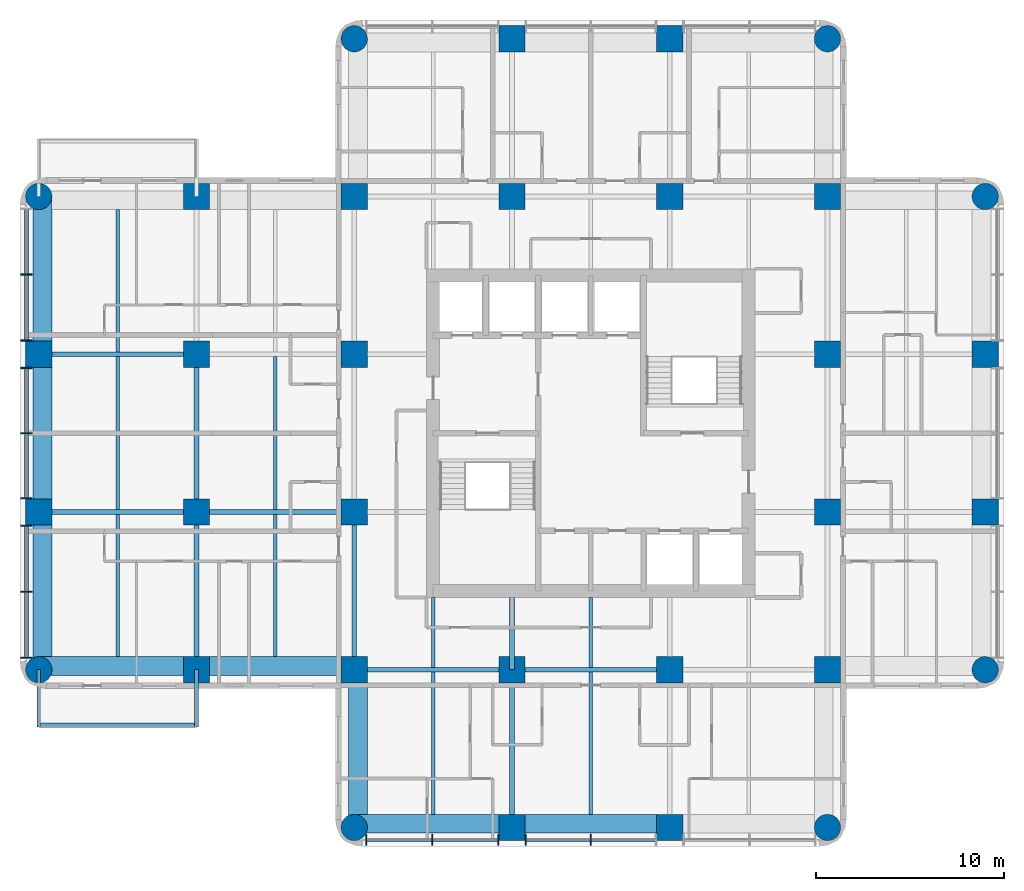
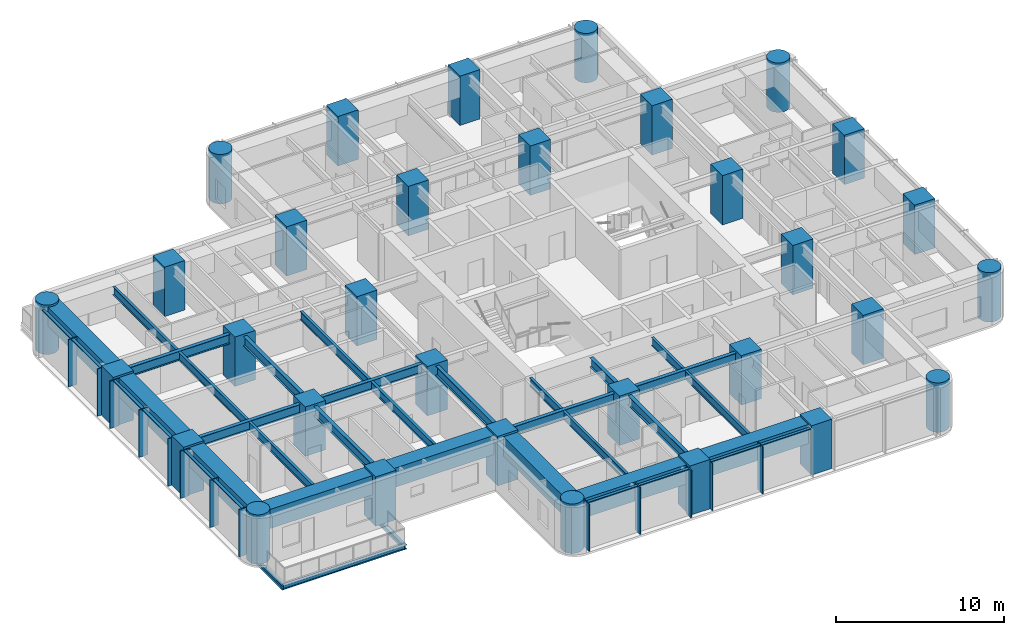
# One storey, part 1 of 11: 32 columns, 30 beams, 23 members, 2 elements without a shape of their own.
"""IFC4 building model written with IfcOpenShell, lengths in metres."""

from ifc_helpers import new_model, si_unit, direction, frame, origin, origin_2d, place, context, subcontext, project, spatial, rectangle, circle, i_section, extrude, material, material_profile, profile_set, type_object, element, aggregate, save


model = new_model("IFC4")

# Units and contexts
model_context = context("Model", 3, precision=1e-05, world=origin(), true_north=direction((0.0, 1.0)))
body_context = subcontext(model_context, "Body", "Model", "MODEL_VIEW")
ifc_project = project(units=[si_unit("LENGTHUNIT", "METRE"), si_unit("AREAUNIT", "SQUARE_METRE"), si_unit("VOLUMEUNIT", "CUBIC_METRE"), si_unit("PLANEANGLEUNIT", "RADIAN"), si_unit("MASSUNIT", "GRAM", prefix="KILO")], contexts=[model_context])

# Site, building, storey
site_placement = place(None, origin())
site = spatial("IfcSite", under=ifc_project, at=site_placement, CompositionType="ELEMENT")
building_placement = place(site_placement, origin())
building = spatial("IfcBuilding", under=site, at=building_placement, Name="Torre Alcanfor", CompositionType="ELEMENT")
storey_placement = place(building_placement, frame((0.0, 0.0, 219.300048828125)))
storey = spatial("IfcBuildingStorey", under=building, at=storey_placement, Name="L57", CompositionType="ELEMENT", Elevation=219.300048828125)

# Columns
ifc_material_1 = material(Name="Concrete f'c 70 MPa", Category="concrete")
ifc_material_profile_1 = material_profile(ifc_material_1, rectangle(XDim=1.39990234375, YDim=1.39990234375, at=origin_2d()), Name="1400x1400")
ifc_profile_set_1 = profile_set([ifc_material_profile_1], Name="Concrete f'c 70 MPa")
column_type_1 = type_object("IfcColumnType", Name="RC column 1400x1400 f'c70", PredefinedType="COLUMN", material=ifc_profile_set_1)
for number, where, z_axis, x_axis, name in (
    (1, (0.0, 25.199951171875, 0.0), (0.0, 0.0, 1.0), (1.0, 0.0, 0.0), "Column 1/F L57"),
    (2, (0.0, 33.60009765625, 0.0), (0.0, 0.0, 1.0), (1.0, 0.0, 0.0), "Column 1/G L57"),
    (3, (8.39990234375, 16.800048828125, 0.0), (0.0, 0.0, 1.0), (1.0, 0.0, 0.0), "Column 2/E L57"),
    (4, (8.39990234375, 25.199951171875, 0.0), (0.0, 0.0, 1.0), (1.0, 0.0, 0.0), "Column 2/F L57"),
    (5, (8.39990234375, 33.60009765625, 0.0), (0.0, 0.0, 1.0), (1.0, 0.0, 0.0), "Column 2/G L57"),
    (6, (8.39990234375, 42.0, 0.0), (0.0, 0.0, 1.0), (1.0, 0.0, 0.0), "Column 2/H L57"),
    (7, (16.800048828125, 16.800048828125, 0.0), (0.0, 0.0, 1.0), (1.0, 0.0, 0.0), "Column 3/E L57"),
    (8, (16.800048828125, 25.199951171875, 0.0), (0.0, 0.0, 1.0), (1.0, 0.0, 0.0), "Column 3/F L57"),
    (9, (16.800048828125, 33.60009765625, 0.0), (0.0, 0.0, 1.0), (1.0, 0.0, 0.0), "Column 3/G L57"),
    (10, (16.800048828125, 42.0, 0.0), (0.0, 0.0, 1.0), (1.0, 0.0, 0.0), "Column 3/H L57"),
    (11, (25.199951171875, 8.39990234375, 0.0), (0.0, 0.0, 1.0), (1.0, 0.0, 0.0), "Column 4/D L57"),
    (12, (25.199951171875, 16.800048828125, 0.0), (0.0, 0.0, 1.0), (1.0, 0.0, 0.0), "Column 4/E L57"),
    (13, (25.199951171875, 42.0, 0.0), (0.0, 0.0, 1.0), (1.0, 0.0, 0.0), "Column 4/H L57"),
    (14, (25.199951171875, 50.39990234375, 0.0), (0.0, 0.0, 1.0), (1.0, 0.0, 0.0), "Column 4/J L57"),
    (15, (33.60009765625, 8.39990234375, 0.0), (0.0, 0.0, 1.0), (1.0, 0.0, 0.0), "Column 5/D L57"),
    (16, (33.60009765625, 16.800048828125, 0.0), (0.0, 0.0, 1.0), (1.0, 0.0, 0.0), "Column 5/E L57"),
    (17, (33.60009765625, 42.0, 0.0), (0.0, 0.0, 1.0), (1.0, 0.0, 0.0), "Column 5/H L57"),
    (18, (33.60009765625, 50.39990234375, 0.0), (0.0, 0.0, 1.0), (1.0, 0.0, 0.0), "Column 5/J L57"),
    (19, (42.0, 16.800048828125, 0.0), (0.0, 0.0, 1.0), (1.0, 0.0, 0.0), "Column 6/E L57"),
    (20, (42.0, 25.199951171875, 0.0), (0.0, 0.0, 1.0), (1.0, 0.0, 0.0), "Column 6/F L57"),
    (21, (42.0, 33.60009765625, 0.0), (0.0, 0.0, 1.0), (1.0, 0.0, 0.0), "Column 6/G L57"),
    (22, (42.0, 42.0, 0.0), (0.0, 0.0, 1.0), (1.0, 0.0, 0.0), "Column 6/H L57"),
    (23, (50.39990234375, 25.199951171875, 0.0), (0.0, 0.0, 1.0), (1.0, 0.0, 0.0), "Column 7/F L57"),
    (24, (50.39990234375, 33.60009765625, 0.0), (0.0, 0.0, 1.0), (1.0, 0.0, 0.0), "Column 7/G L57"),
):
    element("IfcColumn", number, at=place(storey_placement, frame(where, z_axis=z_axis, x_axis=x_axis)), inside=storey, type_object=column_type_1, Name=name, PredefinedType="COLUMN", context=body_context, shape_type="SweptSolid", body=[
        extrude(rectangle(XDim=1.39990234375, YDim=1.39990234375, at=origin_2d()), origin(), (0.0, 0.0, 1.0), 3.599853515625),
    ])
ifc_material_2 = material(Name="Concrete f'c 70 MPa", Category="concrete")
ifc_material_profile_2 = material_profile(ifc_material_2, circle(Radius=0.699951171875, at=origin_2d()), Name="D1400")
ifc_profile_set_2 = profile_set([ifc_material_profile_2], Name="Concrete f'c 70 MPa")
column_type_2 = type_object("IfcColumnType", Name="RC column D1400 f'c70", PredefinedType="COLUMN", material=ifc_profile_set_2)
for number, where, z_axis, x_axis, name in (
    (25, (0.0, 16.800048828125, 0.0), (0.0, 0.0, 1.0), (1.0, 0.0, 0.0), "Column 1/E L57"),
    (26, (0.0, 42.0, 0.0), (0.0, 0.0, 1.0), (1.0, 0.0, 0.0), "Column 1/H L57"),
    (27, (16.800048828125, 8.39990234375, 0.0), (0.0, 0.0, 1.0), (1.0, 0.0, 0.0), "Column 3/D L57"),
    (28, (16.800048828125, 50.39990234375, 0.0), (0.0, 0.0, 1.0), (1.0, 0.0, 0.0), "Column 3/J L57"),
    (29, (42.0, 8.39990234375, 0.0), (0.0, 0.0, 1.0), (1.0, 0.0, 0.0), "Column 6/D L57"),
    (30, (42.0, 50.39990234375, 0.0), (0.0, 0.0, 1.0), (1.0, 0.0, 0.0), "Column 6/J L57"),
    (31, (50.39990234375, 16.800048828125, 0.0), (0.0, 0.0, 1.0), (1.0, 0.0, 0.0), "Column 7/E L57"),
    (32, (50.39990234375, 42.0, 0.0), (0.0, 0.0, 1.0), (1.0, 0.0, 0.0), "Column 7/H L57"),
):
    element("IfcColumn", number, at=place(storey_placement, frame(where, z_axis=z_axis, x_axis=x_axis)), inside=storey, type_object=column_type_2, Name=name, PredefinedType="COLUMN", context=body_context, shape_type="SweptSolid", body=[
        extrude(circle(Radius=0.699951171875, at=origin_2d()), origin(), (0.0, 0.0, 1.0), 3.599853515625),
    ])

# Beams
ifc_material_3 = material(Name="Steel ASTM A992 Grade 50", Category="steel")
ifc_material_profile_3 = material_profile(ifc_material_3, i_section(OverallWidth=0.205322265625, OverallDepth=0.309814453125, WebThickness=0.00927734375, FlangeThickness=0.016357421875, at=origin_2d()), Name="W12x50")
ifc_profile_set_3 = profile_set([ifc_material_profile_3], Name="Steel ASTM A992 Grade 50")
beam_type_1 = type_object("IfcBeamType", Name="Balcony cantilever beam W12x50", PredefinedType="BEAM", material=ifc_profile_set_3)
for number, where, z_axis, x_axis, name in (
    (33, (8.39990234375, 16.800048828125, -0.35498046875), (0.0, -1.0, 0.0), (1.0, 0.0, 0.0), "Balcony cantilever beam L57-W1 1"),
    (34, (0.0, 16.800048828125, -0.35498046875), (0.0, -1.0, 0.0), (1.0, 0.0, 0.0), "Balcony cantilever beam L57-W1 2"),
):
    element("IfcBeam", number, at=place(storey_placement, frame(where, z_axis=z_axis, x_axis=x_axis)), inside=storey, type_object=beam_type_1, Name=name, PredefinedType="BEAM", context=body_context, shape_type="SweptSolid", body=[
        extrude(i_section(OverallWidth=0.205322265625, OverallDepth=0.309814453125, WebThickness=0.00927734375, FlangeThickness=0.016357421875, at=origin_2d()), origin(), (0.0, 0.0, 1.0), 3.050048828125),
    ])
ifc_material_4 = material(Name="Steel ASTM A992 Grade 50", Category="steel")
ifc_material_profile_4 = material_profile(ifc_material_4, i_section(OverallWidth=0.203369140625, OverallDepth=0.30224609375, WebThickness=0.007568359375, FlangeThickness=0.01318359375, at=origin_2d()), Name="W12x40")
ifc_profile_set_4 = profile_set([ifc_material_profile_4], Name="Steel ASTM A992 Grade 50")
beam_type_2 = type_object("IfcBeamType", Name="Balcony edge trimmer W12x40", PredefinedType="BEAM", material=ifc_profile_set_4)
beam_1_placement = place(storey_placement, frame((8.39990234375, 13.851806640625, -0.35107421875), z_axis=(-1.0, 0.0, 0.0), x_axis=(0.0, -1.0, 0.0)))
element("IfcBeam", 35, at=beam_1_placement, inside=storey, type_object=beam_type_2, Name="Balcony edge trimmer L57-W1", PredefinedType="BEAM", context=body_context, shape_type="SweptSolid", body=[
    extrude(i_section(OverallWidth=0.203369140625, OverallDepth=0.30224609375, WebThickness=0.007568359375, FlangeThickness=0.01318359375, at=origin_2d()), origin(), (0.0, 0.0, 1.0), 8.39990234375),
])

# Curtain wall, members
ifc_material_5 = material(Name="Aluminium and glass", Category="aluminium")
curtain_wall_type = type_object("IfcCurtainWallType", Name="CW-A unitised apartment glazing with vertical FIN", PredefinedType="NOTDEFINED", material=ifc_material_5)
curtain_wall_1_placement = place(storey_placement, origin())
curtain_wall_1 = element("IfcCurtainWall", 36, at=curtain_wall_1_placement, inside=storey, type_object=curtain_wall_type, Name="Curtain wall CW-A L57 2", PredefinedType="NOTDEFINED")
ifc_material_6 = material(Name="Bronze anodised aluminium", Category="aluminium")
ifc_material_profile_5 = material_profile(ifc_material_6, rectangle(XDim=0.60009765625, YDim=0.06494140625, at=origin_2d()), Name="CW-A mullion 65x600")
ifc_profile_set_5 = profile_set([ifc_material_profile_5], Name="Bronze anodised aluminium")
member_type_1 = type_object("IfcMemberType", Name="CW-A mullion with vertical FIN 65x600", PredefinedType="MULLION", material=ifc_profile_set_5)
member_1_placement = place(storey_placement, frame((-0.64990234375, 37.846435546875, 0.0), z_axis=(0.0, 0.0, 1.0), x_axis=(1.0, 0.0, 0.0)))
member_1 = element("IfcMember", 37, at=member_1_placement, type_object=member_type_1, Name="CW-A mullion 1.2", PredefinedType="MULLION", context=body_context, shape_type="SweptSolid", body=[
    extrude(rectangle(XDim=0.60009765625, YDim=0.06494140625, at=origin_2d()), origin(), (0.0, 0.0, 1.0), 3.449951171875),
])
member_2_placement = place(storey_placement, frame((-0.64990234375, 34.33740234375, 0.0), z_axis=(0.0, 0.0, 1.0), x_axis=(1.0, 0.0, 0.0)))
member_2 = element("IfcMember", 38, at=member_2_placement, type_object=member_type_1, Name="CW-A mullion 1.3", PredefinedType="MULLION", context=body_context, shape_type="SweptSolid", body=[
    extrude(rectangle(XDim=0.60009765625, YDim=0.06494140625, at=origin_2d()), origin(), (0.0, 0.0, 1.0), 3.449951171875),
])
member_3_placement = place(storey_placement, frame((-0.64990234375, 32.862548828125, 0.0), z_axis=(0.0, 0.0, 1.0), x_axis=(1.0, 0.0, 0.0)))
member_3 = element("IfcMember", 39, at=member_3_placement, type_object=member_type_1, Name="CW-A mullion 2.1", PredefinedType="MULLION", context=body_context, shape_type="SweptSolid", body=[
    extrude(rectangle(XDim=0.60009765625, YDim=0.06494140625, at=origin_2d()), origin(), (0.0, 0.0, 1.0), 3.449951171875),
])
member_4_placement = place(storey_placement, frame((-0.64990234375, 29.39990234375, 0.0), z_axis=(0.0, 0.0, 1.0), x_axis=(1.0, 0.0, 0.0)))
member_4 = element("IfcMember", 40, at=member_4_placement, type_object=member_type_1, Name="CW-A mullion 2.2", PredefinedType="MULLION", context=body_context, shape_type="SweptSolid", body=[
    extrude(rectangle(XDim=0.60009765625, YDim=0.06494140625, at=origin_2d()), origin(), (0.0, 0.0, 1.0), 3.449951171875),
])
member_5_placement = place(storey_placement, frame((-0.64990234375, 25.9375, 0.0), z_axis=(0.0, 0.0, 1.0), x_axis=(1.0, 0.0, 0.0)))
member_5 = element("IfcMember", 41, at=member_5_placement, type_object=member_type_1, Name="CW-A mullion 2.3", PredefinedType="MULLION", context=body_context, shape_type="SweptSolid", body=[
    extrude(rectangle(XDim=0.60009765625, YDim=0.06494140625, at=origin_2d()), origin(), (0.0, 0.0, 1.0), 3.449951171875),
])
member_6_placement = place(storey_placement, frame((-0.64990234375, 24.46240234375, 0.0), z_axis=(0.0, 0.0, 1.0), x_axis=(1.0, 0.0, 0.0)))
member_6 = element("IfcMember", 42, at=member_6_placement, type_object=member_type_1, Name="CW-A mullion 3.1", PredefinedType="MULLION", context=body_context, shape_type="SweptSolid", body=[
    extrude(rectangle(XDim=0.60009765625, YDim=0.06494140625, at=origin_2d()), origin(), (0.0, 0.0, 1.0), 3.449951171875),
])
member_7_placement = place(storey_placement, frame((-0.64990234375, 20.95361328125, 0.0), z_axis=(0.0, 0.0, 1.0), x_axis=(1.0, 0.0, 0.0)))
member_7 = element("IfcMember", 43, at=member_7_placement, type_object=member_type_1, Name="CW-A mullion 3.2", PredefinedType="MULLION", context=body_context, shape_type="SweptSolid", body=[
    extrude(rectangle(XDim=0.60009765625, YDim=0.06494140625, at=origin_2d()), origin(), (0.0, 0.0, 1.0), 3.449951171875),
])
member_8_placement = place(storey_placement, frame((-0.64990234375, 17.444580078125, 0.0), z_axis=(0.0, 0.0, 1.0), x_axis=(1.0, 0.0, 0.0)))
member_8 = element("IfcMember", 44, at=member_8_placement, type_object=member_type_1, Name="CW-A mullion 3.3", PredefinedType="MULLION", context=body_context, shape_type="SweptSolid", body=[
    extrude(rectangle(XDim=0.60009765625, YDim=0.06494140625, at=origin_2d()), origin(), (0.0, 0.0, 1.0), 3.449951171875),
])

curtain_wall_2_placement = place(storey_placement, origin())
curtain_wall_2 = element("IfcCurtainWall", 45, at=curtain_wall_2_placement, inside=storey, type_object=curtain_wall_type, Name="Curtain wall CW-A L57 5", PredefinedType="NOTDEFINED")
member_9_placement = place(storey_placement, frame((17.444580078125, 7.75, 0.0), z_axis=(0.0, 0.0, 1.0), x_axis=(0.0, 1.0, 0.0)))
member_9 = element("IfcMember", 46, at=member_9_placement, type_object=member_type_1, Name="CW-A mullion 1.1", PredefinedType="MULLION", context=body_context, shape_type="SweptSolid", body=[
    extrude(rectangle(XDim=0.60009765625, YDim=0.06494140625, at=origin_2d()), origin(), (0.0, 0.0, 1.0), 3.449951171875),
])
member_10_placement = place(storey_placement, frame((20.95361328125, 7.75, 0.0), z_axis=(0.0, 0.0, 1.0), x_axis=(0.0, 1.0, 0.0)))
member_10 = element("IfcMember", 47, at=member_10_placement, type_object=member_type_1, Name="CW-A mullion 1.2", PredefinedType="MULLION", context=body_context, shape_type="SweptSolid", body=[
    extrude(rectangle(XDim=0.60009765625, YDim=0.06494140625, at=origin_2d()), origin(), (0.0, 0.0, 1.0), 3.449951171875),
])
member_11_placement = place(storey_placement, frame((24.46240234375, 7.75, 0.0), z_axis=(0.0, 0.0, 1.0), x_axis=(0.0, 1.0, 0.0)))
member_11 = element("IfcMember", 48, at=member_11_placement, type_object=member_type_1, Name="CW-A mullion 1.3", PredefinedType="MULLION", context=body_context, shape_type="SweptSolid", body=[
    extrude(rectangle(XDim=0.60009765625, YDim=0.06494140625, at=origin_2d()), origin(), (0.0, 0.0, 1.0), 3.449951171875),
])
member_12_placement = place(storey_placement, frame((25.9375, 7.75, 0.0), z_axis=(0.0, 0.0, 1.0), x_axis=(0.0, 1.0, 0.0)))
member_12 = element("IfcMember", 49, at=member_12_placement, type_object=member_type_1, Name="CW-A mullion 2.1", PredefinedType="MULLION", context=body_context, shape_type="SweptSolid", body=[
    extrude(rectangle(XDim=0.60009765625, YDim=0.06494140625, at=origin_2d()), origin(), (0.0, 0.0, 1.0), 3.449951171875),
])
member_13_placement = place(storey_placement, frame((29.39990234375, 7.75, 0.0), z_axis=(0.0, 0.0, 1.0), x_axis=(0.0, 1.0, 0.0)))
member_13 = element("IfcMember", 50, at=member_13_placement, type_object=member_type_1, Name="CW-A mullion 2.2", PredefinedType="MULLION", context=body_context, shape_type="SweptSolid", body=[
    extrude(rectangle(XDim=0.60009765625, YDim=0.06494140625, at=origin_2d()), origin(), (0.0, 0.0, 1.0), 3.449951171875),
])

# Member
ifc_material_7 = material(Name="Extruded aluminium", Category="aluminium")
ifc_material_profile_6 = material_profile(ifc_material_7, rectangle(XDim=0.199951171875, YDim=0.06494140625, at=origin_2d()), Name="CW-A transom 200x65")
ifc_profile_set_6 = profile_set([ifc_material_profile_6], Name="Extruded aluminium")
member_type_2 = type_object("IfcMemberType", Name="CW-A transom 65x200", PredefinedType="USERDEFINED", material=ifc_profile_set_6)
member_14_placement = place(storey_placement, frame((-0.64990234375, 41.322998046875, 3.41748046875), z_axis=(0.0, -1.0, 0.0), x_axis=(1.0, 0.0, 0.0)))
member_14 = element("IfcMember", 51, at=member_14_placement, type_object=member_type_2, Name="CW-A transom 1.1.2", ObjectType="TRANSOM", PredefinedType="USERDEFINED", context=body_context, shape_type="SweptSolid", body=[
    extrude(rectangle(XDim=0.199951171875, YDim=0.06494140625, at=origin_2d()), origin(), (0.0, 0.0, 1.0), 3.444091796875),
])

member_15_placement = place(storey_placement, frame((-0.64990234375, 37.81396484375, 3.41748046875), z_axis=(0.0, -1.0, 0.0), x_axis=(1.0, 0.0, 0.0)))
member_15 = element("IfcMember", 52, at=member_15_placement, type_object=member_type_2, Name="CW-A transom 1.2.2", ObjectType="TRANSOM", PredefinedType="USERDEFINED", context=body_context, shape_type="SweptSolid", body=[
    extrude(rectangle(XDim=0.199951171875, YDim=0.06494140625, at=origin_2d()), origin(), (0.0, 0.0, 1.0), 3.44384765625),
])

member_16_placement = place(storey_placement, frame((-0.64990234375, 32.830078125, 3.41748046875), z_axis=(0.0, -1.0, 0.0), x_axis=(1.0, 0.0, 0.0)))
member_16 = element("IfcMember", 53, at=member_16_placement, type_object=member_type_2, Name="CW-A transom 2.1.2", ObjectType="TRANSOM", PredefinedType="USERDEFINED", context=body_context, shape_type="SweptSolid", body=[
    extrude(rectangle(XDim=0.199951171875, YDim=0.06494140625, at=origin_2d()), origin(), (0.0, 0.0, 1.0), 3.3974609375),
])

member_17_placement = place(storey_placement, frame((-0.64990234375, 29.367431640625, 3.41748046875), z_axis=(0.0, -1.0, 0.0), x_axis=(1.0, 0.0, 0.0)))
member_17 = element("IfcMember", 54, at=member_17_placement, type_object=member_type_2, Name="CW-A transom 2.2.2", ObjectType="TRANSOM", PredefinedType="USERDEFINED", context=body_context, shape_type="SweptSolid", body=[
    extrude(rectangle(XDim=0.199951171875, YDim=0.06494140625, at=origin_2d()), origin(), (0.0, 0.0, 1.0), 3.3974609375),
])

member_18_placement = place(storey_placement, frame((-0.64990234375, 24.429931640625, 3.41748046875), z_axis=(0.0, -1.0, 0.0), x_axis=(1.0, 0.0, 0.0)))
member_18 = element("IfcMember", 55, at=member_18_placement, type_object=member_type_2, Name="CW-A transom 3.1.2", ObjectType="TRANSOM", PredefinedType="USERDEFINED", context=body_context, shape_type="SweptSolid", body=[
    extrude(rectangle(XDim=0.199951171875, YDim=0.06494140625, at=origin_2d()), origin(), (0.0, 0.0, 1.0), 3.44384765625),
])

member_19_placement = place(storey_placement, frame((-0.64990234375, 20.9208984375, 3.41748046875), z_axis=(0.0, -1.0, 0.0), x_axis=(1.0, 0.0, 0.0)))
member_19 = element("IfcMember", 56, at=member_19_placement, type_object=member_type_2, Name="CW-A transom 3.2.2", ObjectType="TRANSOM", PredefinedType="USERDEFINED", context=body_context, shape_type="SweptSolid", body=[
    extrude(rectangle(XDim=0.199951171875, YDim=0.06494140625, at=origin_2d()), origin(), (0.0, 0.0, 1.0), 3.44384765625),
])

aggregate(curtain_wall_1, [member_1, member_2, member_14, member_15, member_3, member_4, member_5, member_16, member_17, member_6, member_7, member_8, member_18, member_19])

member_20_placement = place(storey_placement, frame((17.47705078125, 7.75, 3.41748046875), z_axis=(1.0, 0.0, 0.0), x_axis=(0.0, 1.0, 0.0)))
member_20 = element("IfcMember", 57, at=member_20_placement, type_object=member_type_2, Name="CW-A transom 1.1.2", ObjectType="TRANSOM", PredefinedType="USERDEFINED", context=body_context, shape_type="SweptSolid", body=[
    extrude(rectangle(XDim=0.199951171875, YDim=0.06494140625, at=origin_2d()), origin(), (0.0, 0.0, 1.0), 3.44384765625),
])

member_21_placement = place(storey_placement, frame((20.986083984375, 7.75, 3.41748046875), z_axis=(1.0, 0.0, 0.0), x_axis=(0.0, 1.0, 0.0)))
member_21 = element("IfcMember", 58, at=member_21_placement, type_object=member_type_2, Name="CW-A transom 1.2.2", ObjectType="TRANSOM", PredefinedType="USERDEFINED", context=body_context, shape_type="SweptSolid", body=[
    extrude(rectangle(XDim=0.199951171875, YDim=0.06494140625, at=origin_2d()), origin(), (0.0, 0.0, 1.0), 3.44384765625),
])

member_22_placement = place(storey_placement, frame((25.969970703125, 7.75, 3.41748046875), z_axis=(1.0, 0.0, 0.0), x_axis=(0.0, 1.0, 0.0)))
member_22 = element("IfcMember", 59, at=member_22_placement, type_object=member_type_2, Name="CW-A transom 2.1.2", ObjectType="TRANSOM", PredefinedType="USERDEFINED", context=body_context, shape_type="SweptSolid", body=[
    extrude(rectangle(XDim=0.199951171875, YDim=0.06494140625, at=origin_2d()), origin(), (0.0, 0.0, 1.0), 3.3974609375),
])

member_23_placement = place(storey_placement, frame((29.4326171875, 7.75, 3.41748046875), z_axis=(1.0, 0.0, 0.0), x_axis=(0.0, 1.0, 0.0)))
member_23 = element("IfcMember", 60, at=member_23_placement, type_object=member_type_2, Name="CW-A transom 2.2.2", ObjectType="TRANSOM", PredefinedType="USERDEFINED", context=body_context, shape_type="SweptSolid", body=[
    extrude(rectangle(XDim=0.199951171875, YDim=0.06494140625, at=origin_2d()), origin(), (0.0, 0.0, 1.0), 3.3974609375),
])

aggregate(curtain_wall_2, [member_9, member_10, member_11, member_20, member_21, member_12, member_13, member_22, member_23])

# Beams
ifc_material_8 = material(Name="Steel ASTM A992 Grade 50", Category="steel")
ifc_material_profile_7 = material_profile(ifc_material_8, i_section(OverallWidth=0.25390625, OverallDepth=0.683349609375, WebThickness=0.012451171875, FlangeThickness=0.01904296875, at=origin_2d()), Name="W27x94")
ifc_profile_set_7 = profile_set([ifc_material_profile_7], Name="Steel ASTM A992 Grade 50")
beam_type_3 = type_object("IfcBeamType", Name="Girder W27x94", PredefinedType="BEAM", material=ifc_profile_set_7)
beam_2_placement = place(storey_placement, frame((16.800048828125, 16.800048828125, 3.1083984375), z_axis=(1.0, 0.0, 0.0), x_axis=(0.0, 1.0, 0.0)))
element("IfcBeam", 61, at=beam_2_placement, inside=storey, type_object=beam_type_3, Name="Beam 3E-4E under L58", PredefinedType="BEAM", context=body_context, shape_type="SweptSolid", body=[
    extrude(i_section(OverallWidth=0.25390625, OverallDepth=0.683349609375, WebThickness=0.012451171875, FlangeThickness=0.01904296875, at=origin_2d()), origin(), (0.0, 0.0, 1.0), 8.39990234375),
])
beam_3_placement = place(storey_placement, frame((25.199951171875, 16.800048828125, 3.1083984375), z_axis=(1.0, 0.0, 0.0), x_axis=(0.0, 1.0, 0.0)))
element("IfcBeam", 62, at=beam_3_placement, inside=storey, type_object=beam_type_3, Name="Beam 4E-5E under L58", PredefinedType="BEAM", context=body_context, shape_type="SweptSolid", body=[
    extrude(i_section(OverallWidth=0.25390625, OverallDepth=0.683349609375, WebThickness=0.012451171875, FlangeThickness=0.01904296875, at=origin_2d()), origin(), (0.0, 0.0, 1.0), 8.400146484375),
])
beam_4_placement = place(storey_placement, frame((0.0, 25.199951171875, 3.1083984375), z_axis=(1.0, 0.0, 0.0), x_axis=(0.0, 1.0, 0.0)))
element("IfcBeam", 63, at=beam_4_placement, inside=storey, type_object=beam_type_3, Name="Beam 1F-2F under L58", PredefinedType="BEAM", context=body_context, shape_type="SweptSolid", body=[
    extrude(i_section(OverallWidth=0.25390625, OverallDepth=0.683349609375, WebThickness=0.012451171875, FlangeThickness=0.01904296875, at=origin_2d()), origin(), (0.0, 0.0, 1.0), 8.39990234375),
])
beam_5_placement = place(storey_placement, frame((8.39990234375, 25.199951171875, 3.1083984375), z_axis=(1.0, 0.0, 0.0), x_axis=(0.0, 1.0, 0.0)))
element("IfcBeam", 64, at=beam_5_placement, inside=storey, type_object=beam_type_3, Name="Beam 2F-3F under L58", PredefinedType="BEAM", context=body_context, shape_type="SweptSolid", body=[
    extrude(i_section(OverallWidth=0.25390625, OverallDepth=0.683349609375, WebThickness=0.012451171875, FlangeThickness=0.01904296875, at=origin_2d()), origin(), (0.0, 0.0, 1.0), 8.400146484375),
])
for number, where, z_axis, x_axis, name in (
    (65, (0.0, 33.60009765625, 3.1083984375), (1.0, 0.0, 0.0), (0.0, 1.0, 0.0), "Beam 1G-2G under L58"),
    (66, (8.39990234375, 16.800048828125, 3.1083984375), (0.0, 1.0, 0.0), (-1.0, 0.0, 0.0), "Beam 2E-2F under L58"),
):
    element("IfcBeam", number, at=place(storey_placement, frame(where, z_axis=z_axis, x_axis=x_axis)), inside=storey, type_object=beam_type_3, Name=name, PredefinedType="BEAM", context=body_context, shape_type="SweptSolid", body=[
        extrude(i_section(OverallWidth=0.25390625, OverallDepth=0.683349609375, WebThickness=0.012451171875, FlangeThickness=0.01904296875, at=origin_2d()), origin(), (0.0, 0.0, 1.0), 8.39990234375),
    ])
beam_6_placement = place(storey_placement, frame((8.39990234375, 25.199951171875, 3.1083984375), z_axis=(0.0, 1.0, 0.0), x_axis=(-1.0, 0.0, 0.0)))
element("IfcBeam", 67, at=beam_6_placement, inside=storey, type_object=beam_type_3, Name="Beam 2F-2G under L58", PredefinedType="BEAM", context=body_context, shape_type="SweptSolid", body=[
    extrude(i_section(OverallWidth=0.25390625, OverallDepth=0.683349609375, WebThickness=0.012451171875, FlangeThickness=0.01904296875, at=origin_2d()), origin(), (0.0, 0.0, 1.0), 8.400146484375),
])
beam_7_placement = place(storey_placement, frame((16.800048828125, 16.800048828125, 3.1083984375), z_axis=(0.0, 1.0, 0.0), x_axis=(-1.0, 0.0, 0.0)))
element("IfcBeam", 68, at=beam_7_placement, inside=storey, type_object=beam_type_3, Name="Beam 3E-3F under L58", PredefinedType="BEAM", context=body_context, shape_type="SweptSolid", body=[
    extrude(i_section(OverallWidth=0.25390625, OverallDepth=0.683349609375, WebThickness=0.012451171875, FlangeThickness=0.01904296875, at=origin_2d()), origin(), (0.0, 0.0, 1.0), 8.39990234375),
])
beam_8_placement = place(storey_placement, frame((25.199951171875, 8.39990234375, 3.1083984375), z_axis=(0.0, 1.0, 0.0), x_axis=(-1.0, 0.0, 0.0)))
element("IfcBeam", 69, at=beam_8_placement, inside=storey, type_object=beam_type_3, Name="Beam 4D-4E under L58", PredefinedType="BEAM", context=body_context, shape_type="SweptSolid", body=[
    extrude(i_section(OverallWidth=0.25390625, OverallDepth=0.683349609375, WebThickness=0.012451171875, FlangeThickness=0.01904296875, at=origin_2d()), origin(), (0.0, 0.0, 1.0), 8.400146484375),
])
ifc_material_9 = material(Name="Steel ASTM A992 Grade 50", Category="steel")
ifc_material_profile_8 = material_profile(ifc_material_9, i_section(OverallWidth=0.25390625, OverallDepth=0.683349609375, WebThickness=0.012451171875, FlangeThickness=0.01904296875, at=origin_2d()), Name="W27x94")
ifc_profile_set_8 = profile_set([ifc_material_profile_8], Name="Steel ASTM A992 Grade 50")
beam_type_4 = type_object("IfcBeamType", Name="Girder, part bay W27x94", PredefinedType="BEAM", material=ifc_profile_set_8)
beam_9_placement = place(storey_placement, frame((25.199951171875, 16.800048828125, 3.1083984375), z_axis=(0.0, 1.0, 0.0), x_axis=(-1.0, 0.0, 0.0)))
element("IfcBeam", 70, at=beam_9_placement, inside=storey, type_object=beam_type_4, Name="Beam 4E-420_65 under L58", PredefinedType="BEAM", context=body_context, shape_type="SweptSolid", body=[
    extrude(i_section(OverallWidth=0.25390625, OverallDepth=0.683349609375, WebThickness=0.012451171875, FlangeThickness=0.01904296875, at=origin_2d()), origin(), (0.0, 0.0, 1.0), 3.849853515625),
])
ifc_material_10 = material(Name="Concrete f'c 70 MPa", Category="concrete")
ifc_material_profile_9 = material_profile(ifc_material_10, rectangle(XDim=1.0, YDim=1.39990234375, at=origin_2d()), Name="1000x1400")
ifc_profile_set_9 = profile_set([ifc_material_profile_9], Name="Concrete f'c 70 MPa")
beam_type_5 = type_object("IfcBeamType", Name="RC perimeter beam 1000x1400", PredefinedType="BEAM", material=ifc_profile_set_9)
beam_10_placement = place(storey_placement, frame((16.800048828125, 8.60009765625, 2.75), z_axis=(1.0, 0.0, 0.0), x_axis=(0.0, 1.0, 0.0)))
element("IfcBeam", 71, at=beam_10_placement, inside=storey, type_object=beam_type_5, Name="Beam 3D-4D under L58", PredefinedType="BEAM", context=body_context, shape_type="SweptSolid", body=[
    extrude(rectangle(XDim=1.0, YDim=1.39990234375, at=origin_2d()), origin(), (0.0, 0.0, 1.0), 8.27294921875),
])
beam_11_placement = place(storey_placement, frame((25.326904296875, 8.60009765625, 2.75), z_axis=(1.0, 0.0, 0.0), x_axis=(0.0, 1.0, 0.0)))
element("IfcBeam", 72, at=beam_11_placement, inside=storey, type_object=beam_type_5, Name="Beam 4D-5D under L58", PredefinedType="BEAM", context=body_context, shape_type="SweptSolid", body=[
    extrude(rectangle(XDim=1.0, YDim=1.39990234375, at=origin_2d()), origin(), (0.0, 0.0, 1.0), 8.14599609375),
])
beam_12_placement = place(storey_placement, frame((0.0, 17.0, 2.75), z_axis=(1.0, 0.0, 0.0), x_axis=(0.0, 1.0, 0.0)))
element("IfcBeam", 73, at=beam_12_placement, inside=storey, type_object=beam_type_5, Name="Beam 1E-2E under L58", PredefinedType="BEAM", context=body_context, shape_type="SweptSolid", body=[
    extrude(rectangle(XDim=1.0, YDim=1.39990234375, at=origin_2d()), origin(), (0.0, 0.0, 1.0), 8.27294921875),
])
beam_13_placement = place(storey_placement, frame((8.527099609375, 17.0, 2.75), z_axis=(1.0, 0.0, 0.0), x_axis=(0.0, 1.0, 0.0)))
element("IfcBeam", 74, at=beam_13_placement, inside=storey, type_object=beam_type_5, Name="Beam 2E-3E under L58", PredefinedType="BEAM", context=body_context, shape_type="SweptSolid", body=[
    extrude(rectangle(XDim=1.0, YDim=1.39990234375, at=origin_2d()), origin(), (0.0, 0.0, 1.0), 8.14599609375),
])
beam_14_placement = place(storey_placement, frame((0.199951171875, 16.800048828125, 2.75), z_axis=(0.0, 1.0, 0.0), x_axis=(-1.0, 0.0, 0.0)))
element("IfcBeam", 75, at=beam_14_placement, inside=storey, type_object=beam_type_5, Name="Beam 1E-1F under L58", PredefinedType="BEAM", context=body_context, shape_type="SweptSolid", body=[
    extrude(rectangle(XDim=1.0, YDim=1.39990234375, at=origin_2d()), origin(), (0.0, 0.0, 1.0), 8.27294921875),
])
beam_15_placement = place(storey_placement, frame((0.199951171875, 25.326904296875, 2.75), z_axis=(0.0, 1.0, 0.0), x_axis=(-1.0, 0.0, 0.0)))
element("IfcBeam", 76, at=beam_15_placement, inside=storey, type_object=beam_type_5, Name="Beam 1F-1G under L58", PredefinedType="BEAM", context=body_context, shape_type="SweptSolid", body=[
    extrude(rectangle(XDim=1.0, YDim=1.39990234375, at=origin_2d()), origin(), (0.0, 0.0, 1.0), 8.14599609375),
])
beam_16_placement = place(storey_placement, frame((0.199951171875, 33.72705078125, 2.75), z_axis=(0.0, 1.0, 0.0), x_axis=(-1.0, 0.0, 0.0)))
element("IfcBeam", 77, at=beam_16_placement, inside=storey, type_object=beam_type_5, Name="Beam 1G-1H under L58", PredefinedType="BEAM", context=body_context, shape_type="SweptSolid", body=[
    extrude(rectangle(XDim=1.0, YDim=1.39990234375, at=origin_2d()), origin(), (0.0, 0.0, 1.0), 8.27294921875),
])
beam_17_placement = place(storey_placement, frame((17.0, 8.39990234375, 2.75), z_axis=(0.0, 1.0, 0.0), x_axis=(-1.0, 0.0, 0.0)))
element("IfcBeam", 78, at=beam_17_placement, inside=storey, type_object=beam_type_5, Name="Beam 3D-3E under L58", PredefinedType="BEAM", context=body_context, shape_type="SweptSolid", body=[
    extrude(rectangle(XDim=1.0, YDim=1.39990234375, at=origin_2d()), origin(), (0.0, 0.0, 1.0), 8.273193359375),
])
ifc_material_11 = material(Name="Steel ASTM A992 Grade 50", Category="steel")
ifc_material_profile_10 = material_profile(ifc_material_11, i_section(OverallWidth=0.1787109375, OverallDepth=0.60205078125, WebThickness=0.010986328125, FlangeThickness=0.014892578125, at=origin_2d()), Name="W24x62")
ifc_profile_set_10 = profile_set([ifc_material_profile_10], Name="Steel ASTM A992 Grade 50")
beam_type_6 = type_object("IfcBeamType", Name="Secondary beam W24x62", PredefinedType="BEAM", material=ifc_profile_set_10)
beam_18_placement = place(storey_placement, frame((4.199951171875, 17.5, 3.14892578125), z_axis=(0.0, 1.0, 0.0), x_axis=(-1.0, 0.0, 0.0)))
element("IfcBeam", 79, at=beam_18_placement, inside=storey, type_object=beam_type_6, Name="Beam 4_2E-4_2F under L58", PredefinedType="BEAM", context=body_context, shape_type="SweptSolid", body=[
    extrude(i_section(OverallWidth=0.1787109375, OverallDepth=0.60205078125, WebThickness=0.010986328125, FlangeThickness=0.014892578125, at=origin_2d()), origin(), (0.0, 0.0, 1.0), 7.572998046875),
])
beam_19_placement = place(storey_placement, frame((4.199951171875, 25.326904296875, 3.14892578125), z_axis=(0.0, 1.0, 0.0), x_axis=(-1.0, 0.0, 0.0)))
element("IfcBeam", 80, at=beam_19_placement, inside=storey, type_object=beam_type_6, Name="Beam 4_2F-4_2G under L58", PredefinedType="BEAM", context=body_context, shape_type="SweptSolid", body=[
    extrude(i_section(OverallWidth=0.1787109375, OverallDepth=0.60205078125, WebThickness=0.010986328125, FlangeThickness=0.014892578125, at=origin_2d()), origin(), (0.0, 0.0, 1.0), 8.14599609375),
])
for number, where, z_axis, x_axis, name in (
    (81, (4.199951171875, 33.72705078125, 3.14892578125), (0.0, 1.0, 0.0), (-1.0, 0.0, 0.0), "Beam 4_2G-4_2H under L58"),
    (82, (12.60009765625, 17.5, 3.14892578125), (0.0, 1.0, 0.0), (-1.0, 0.0, 0.0), "Beam 12_6E-12_6F under L58"),
):
    element("IfcBeam", number, at=place(storey_placement, frame(where, z_axis=z_axis, x_axis=x_axis)), inside=storey, type_object=beam_type_6, Name=name, PredefinedType="BEAM", context=body_context, shape_type="SweptSolid", body=[
        extrude(i_section(OverallWidth=0.1787109375, OverallDepth=0.60205078125, WebThickness=0.010986328125, FlangeThickness=0.014892578125, at=origin_2d()), origin(), (0.0, 0.0, 1.0), 7.572998046875),
    ])
beam_20_placement = place(storey_placement, frame((12.60009765625, 25.326904296875, 3.14892578125), z_axis=(0.0, 1.0, 0.0), x_axis=(-1.0, 0.0, 0.0)))
element("IfcBeam", 83, at=beam_20_placement, inside=storey, type_object=beam_type_6, Name="Beam 12_6F-12_6G under L58", PredefinedType="BEAM", context=body_context, shape_type="SweptSolid", body=[
    extrude(i_section(OverallWidth=0.1787109375, OverallDepth=0.60205078125, WebThickness=0.010986328125, FlangeThickness=0.014892578125, at=origin_2d()), origin(), (0.0, 0.0, 1.0), 8.14599609375),
])
for number, where, z_axis, x_axis, name in (
    (84, (21.0, 9.10009765625, 3.14892578125), (0.0, 1.0, 0.0), (-1.0, 0.0, 0.0), "Beam 21D-21E under L58"),
    (85, (29.39990234375, 9.10009765625, 3.14892578125), (0.0, 1.0, 0.0), (-1.0, 0.0, 0.0), "Beam 29_4D-29_4E under L58"),
):
    element("IfcBeam", number, at=place(storey_placement, frame(where, z_axis=z_axis, x_axis=x_axis)), inside=storey, type_object=beam_type_6, Name=name, PredefinedType="BEAM", context=body_context, shape_type="SweptSolid", body=[
        extrude(i_section(OverallWidth=0.1787109375, OverallDepth=0.60205078125, WebThickness=0.010986328125, FlangeThickness=0.014892578125, at=origin_2d()), origin(), (0.0, 0.0, 1.0), 7.572998046875),
    ])
ifc_material_12 = material(Name="Steel ASTM A992 Grade 50", Category="steel")
ifc_material_profile_11 = material_profile(ifc_material_12, i_section(OverallWidth=0.1787109375, OverallDepth=0.60205078125, WebThickness=0.010986328125, FlangeThickness=0.014892578125, at=origin_2d()), Name="W24x62")
ifc_profile_set_11 = profile_set([ifc_material_profile_11], Name="Steel ASTM A992 Grade 50")
beam_type_7 = type_object("IfcBeamType", Name="Secondary beam, part bay W24x62", PredefinedType="BEAM", material=ifc_profile_set_11)
for number, where, z_axis, x_axis, name in (
    (86, (21.0, 16.927001953125, 3.14892578125), (0.0, 1.0, 0.0), (-1.0, 0.0, 0.0), "Beam 21E-2120_65 under L58"),
    (87, (29.39990234375, 16.927001953125, 3.14892578125), (0.0, 1.0, 0.0), (-1.0, 0.0, 0.0), "Beam 29_4E-29_420_65 under L58"),
):
    element("IfcBeam", number, at=place(storey_placement, frame(where, z_axis=z_axis, x_axis=x_axis)), inside=storey, type_object=beam_type_7, Name=name, PredefinedType="BEAM", context=body_context, shape_type="SweptSolid", body=[
        extrude(i_section(OverallWidth=0.1787109375, OverallDepth=0.60205078125, WebThickness=0.010986328125, FlangeThickness=0.014892578125, at=origin_2d()), origin(), (0.0, 0.0, 1.0), 3.722900390625),
    ])

save(model, "model.ifc")
